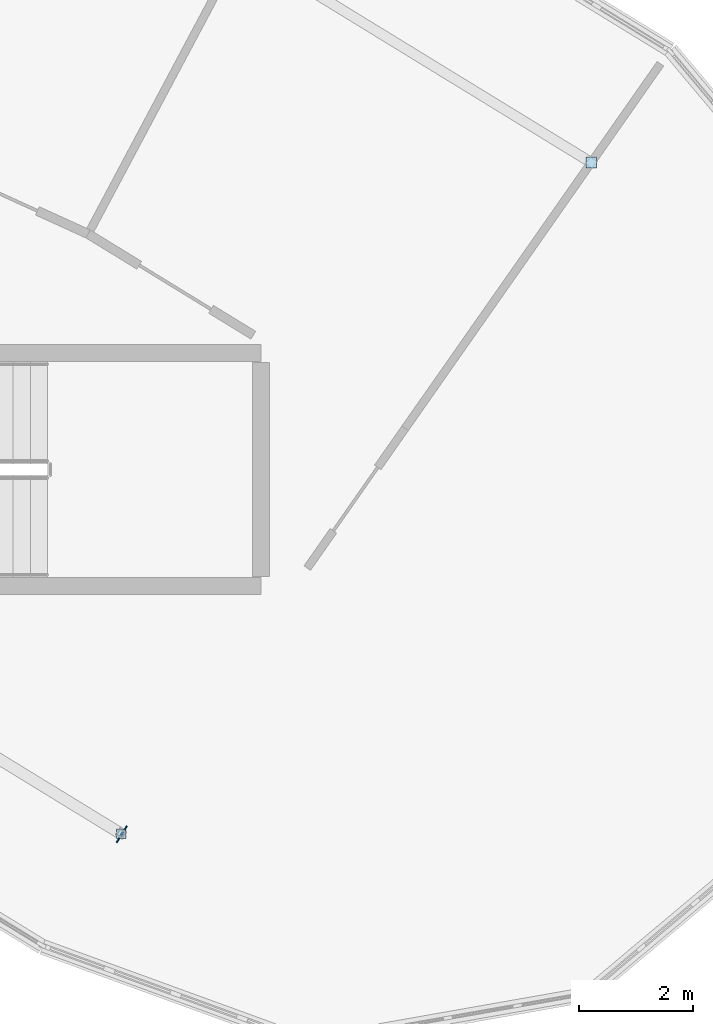
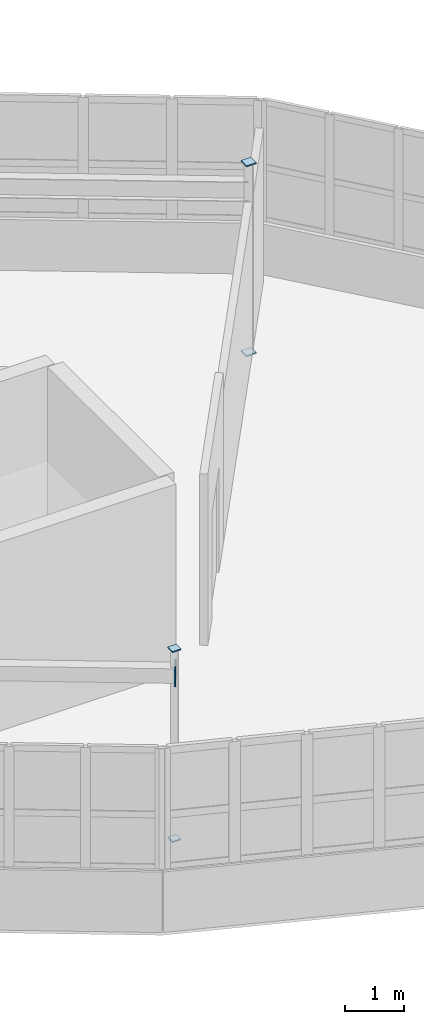
# One storey, part 63 of 79: 5 plates.
"""IFC4 building model written with IfcOpenShell, lengths in metres."""

from ifc_helpers import new_model, si_unit, direction, frame, origin, origin_2d, place, context, subcontext, project, spatial, rectangle, extrude, material, layer, layer_set, type_object, element, save


model = new_model("IFC4")

# Units and contexts
model_context = context("Model", 3, precision=1e-05, world=origin(), true_north=direction((0.0, 1.0)))
body_context = subcontext(model_context, "Body", "Model", "MODEL_VIEW")
ifc_project = project(units=[si_unit("LENGTHUNIT", "METRE"), si_unit("AREAUNIT", "SQUARE_METRE"), si_unit("VOLUMEUNIT", "CUBIC_METRE"), si_unit("PLANEANGLEUNIT", "RADIAN"), si_unit("MASSUNIT", "GRAM", prefix="KILO")], contexts=[model_context])

# Site, building, storey
site_placement = place(None, origin())
site = spatial("IfcSite", under=ifc_project, at=site_placement, CompositionType="ELEMENT")
building_placement = place(site_placement, origin())
building = spatial("IfcBuilding", under=site, at=building_placement, Name="Tarnwether General Hospital", CompositionType="ELEMENT")
storey_placement = place(building_placement, frame((0.0, 0.0, 18.300048828125)))
storey = spatial("IfcBuildingStorey", under=building, at=storey_placement, Name="L04", CompositionType="ELEMENT", Elevation=18.300048828125)

# Plates
ifc_material = material(Name="Steel Grade 350 (350 MPa)", Category="steel")
ifc_layer = layer(ifc_material, 0.02490234375)
ifc_layer_set = layer_set([ifc_layer], Name="Steel Grade 350 (350 MPa)")
plate_type = type_object("IfcPlateType", Name="PT-GUS2", PredefinedType="USERDEFINED", material=ifc_layer_set)
for number, where, z_axis, x_axis, name in (
    (1, (125.9560546875, 111.493896484375, -0.02490234375), (0.0, 0.0, 1.0), (1.0, 0.0, 0.0), "Hollow Section Welded End Cap Plate 0601"),
    (2, (125.9560546875, 111.493896484375, 3.89990234375), (0.0, 0.0, 1.0), (1.0, 0.0, 0.0), "Hollow Section Welded End Cap Plate 0602"),
):
    element("IfcPlate", number, at=place(storey_placement, frame(where, z_axis=z_axis, x_axis=x_axis)), inside=storey, type_object=plate_type, Name=name, ObjectType="GUSSET", PredefinedType="USERDEFINED", context=body_context, shape_type="SweptSolid", body=[
        extrude(rectangle(XDim=0.18994140625, YDim=0.18994140625, at=origin_2d()), origin(), (0.0, 0.0, 1.0), 0.02490234375),
    ])
for number, where, z_axis, x_axis, name in (
    (3, (117.696044921875, 99.697998046875, -0.02490234375), (0.0, 0.0, 1.0), (1.0, 0.0, 0.0), "Hollow Section Welded End Cap Plate 0611"),
    (4, (117.696044921875, 99.697998046875, 3.89990234375), (0.0, 0.0, 1.0), (1.0, 0.0, 0.0), "Hollow Section Welded End Cap Plate 0612"),
):
    element("IfcPlate", number, at=place(storey_placement, frame(where, z_axis=z_axis, x_axis=x_axis)), inside=storey, type_object=plate_type, Name=name, ObjectType="GUSSET", PredefinedType="USERDEFINED", context=body_context, shape_type="SweptSolid", body=[
        extrude(rectangle(XDim=0.1650390625, YDim=0.1650390625, at=origin_2d()), origin(), (0.0, 0.0, 1.0), 0.02490234375),
    ])
plate_placement = place(storey_placement, frame((117.706787109375, 99.69140625, 3.23974609375), z_axis=(0.0, 0.0, 1.0), x_axis=(0.852649283545, -0.522483683258, 0.0)))
element("IfcPlate", 5, at=plate_placement, inside=storey, type_object=plate_type, Name="Hollow Section Welded End Cap Plate 1040", ObjectType="GUSSET", PredefinedType="USERDEFINED", context=body_context, shape_type="SweptSolid", body=[
    extrude(rectangle(XDim=0.02490234375, YDim=0.340087890625, at=origin_2d()), origin(), (0.0, 0.0, 1.0), 0.340087890625),
])

save(model, "model.ifc")
